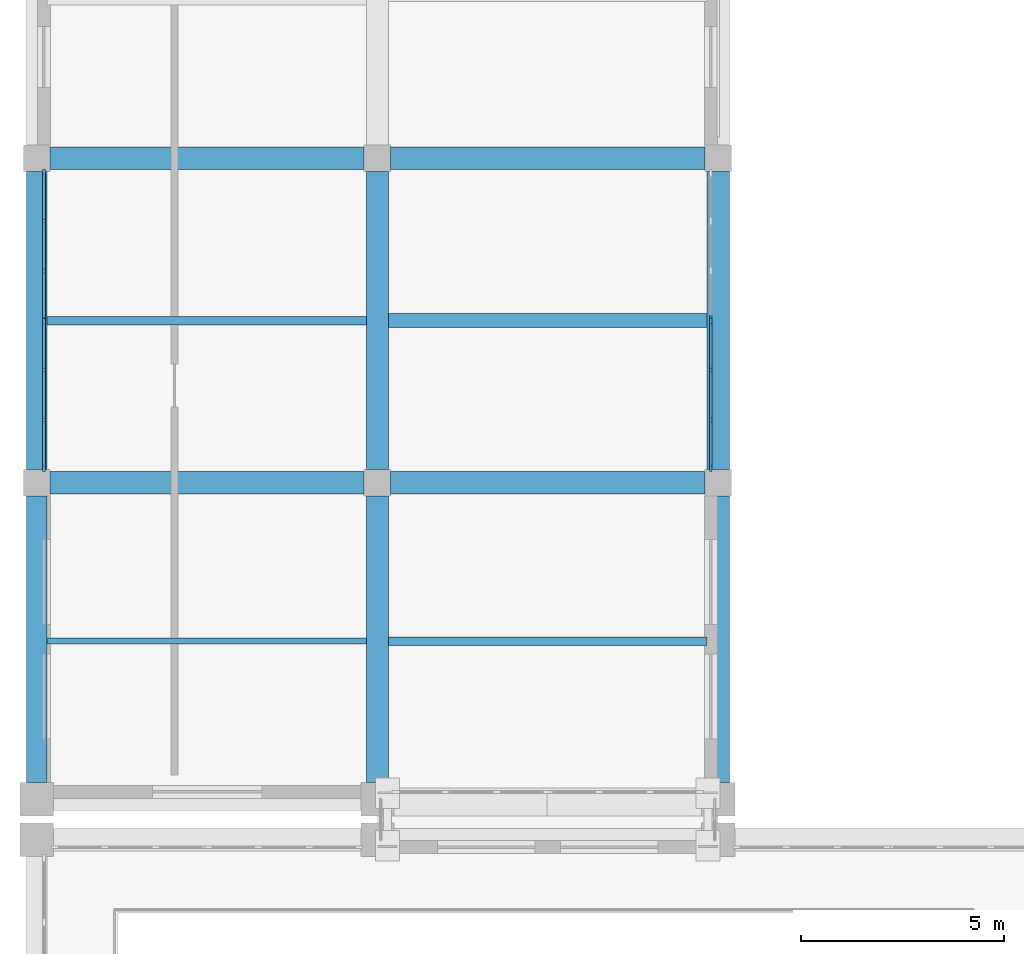
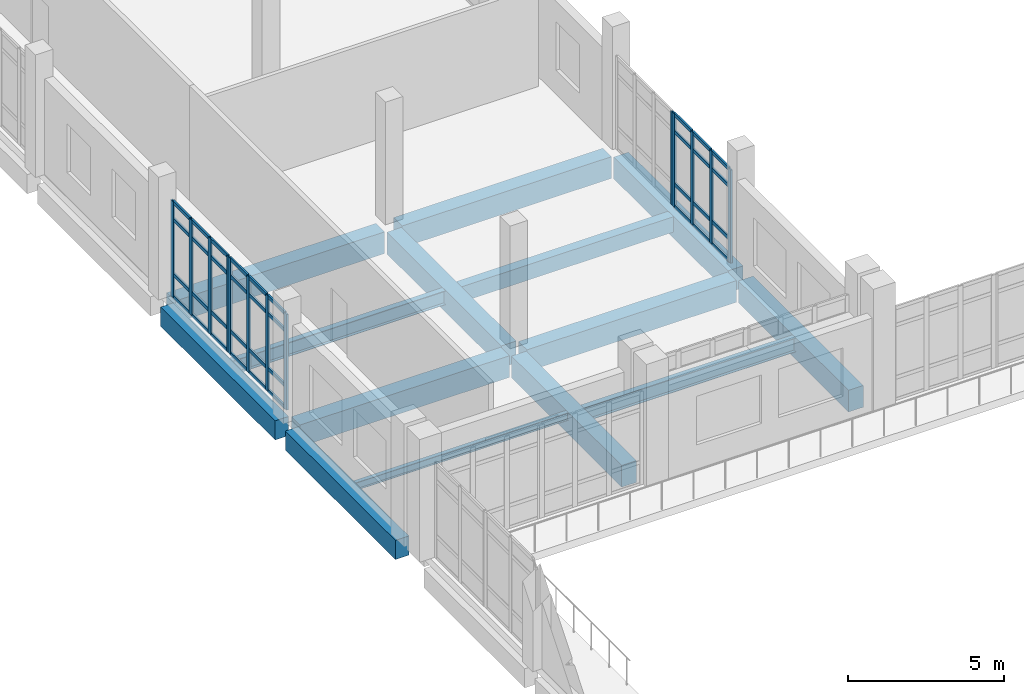
# One storey, part 9 of 90: 49 members, 14 beams, 4 elements without a shape of their own.
"""IFC4 building model written with IfcOpenShell, lengths in metres."""

from ifc_helpers import new_model, si_unit, direction, frame, origin, origin_2d, place, context, subcontext, project, spatial, rectangle, i_section, extrude, material, layer, layer_set, material_profile, profile_set, type_object, element, aggregate, save


model = new_model("IFC4")

# Units and contexts
model_context = context("Model", 3, precision=1e-05, world=origin(), true_north=direction((0.0, 1.0)))
body_context = subcontext(model_context, "Body", "Model", "MODEL_VIEW")
ifc_project = project(units=[si_unit("LENGTHUNIT", "METRE"), si_unit("AREAUNIT", "SQUARE_METRE"), si_unit("VOLUMEUNIT", "CUBIC_METRE"), si_unit("PLANEANGLEUNIT", "RADIAN"), si_unit("MASSUNIT", "GRAM", prefix="KILO")], contexts=[model_context])

# Site, building, storey
site_placement = place(None, origin())
site = spatial("IfcSite", under=ifc_project, at=site_placement, CompositionType="ELEMENT")
building_placement = place(site_placement, origin())
building = spatial("IfcBuilding", under=site, at=building_placement, Name="Kelarvand Opera House", CompositionType="ELEMENT")
storey_placement = place(building_placement, frame((0.0, 0.0, 5.39990234375)))
storey = spatial("IfcBuildingStorey", under=building, at=storey_placement, Name="L01", CompositionType="ELEMENT", Elevation=5.39990234375)

# Curtain wall, members
ifc_material_1 = material(Name="Thermally broken aluminium and low-E glazing", Category="aluminium")
ifc_layer_1 = layer(ifc_material_1, 0.179931640625, Name="Thermally broken aluminium and low-E glazing", Category="aluminium")
ifc_layer_set_1 = layer_set([ifc_layer_1], Name="Thermally broken aluminium and low-E glazing")
curtain_wall_type_1 = type_object("IfcCurtainWallType", Name="Unitised Low-E Curtain Wall 3661x3750 Mod 1350 CWF-28", PredefinedType="USERDEFINED", material=ifc_layer_set_1)
curtain_wall_1_placement = place(storey_placement, origin())
curtain_wall_1 = element("IfcCurtainWall", 1, at=curtain_wall_1_placement, inside=storey, type_object=curtain_wall_type_1, Name="V4 L01 Curtain Wall CWF-28 (139)", ObjectType="UNITISED CURTAIN WALL", PredefinedType="USERDEFINED")
ifc_material_2 = material(Name="Thermally broken anodised aluminium", Category="aluminium")
ifc_material_profile_1 = material_profile(ifc_material_2, rectangle(XDim=0.06494140625, YDim=0.179931640625, at=origin_2d()), Name="ALU MULLION 65x180", Category="aluminium")
ifc_profile_set_1 = profile_set([ifc_material_profile_1], Name="Thermally broken anodised aluminium")
member_type_1 = type_object("IfcMemberType", Name="Curtain Wall Mullion 65x180 Aluminium", PredefinedType="MULLION", material=ifc_profile_set_1)
member_1_placement = place(storey_placement, frame((9.179931640625, 46.967529296875, 0.0), z_axis=(0.0, 0.0, 1.0), x_axis=(-1.0, 0.0, 0.0)))
member_1 = element("IfcMember", 2, at=member_1_placement, type_object=member_type_1, Name="CWF-28 mullion 1", PredefinedType="MULLION", context=body_context, shape_type="SweptSolid", body=[
    extrude(rectangle(XDim=0.06494140625, YDim=0.179931640625, at=origin_2d()), origin(), (0.0, 0.0, 1.0), 3.75),
])
member_2_placement = place(storey_placement, frame((9.179931640625, 48.1552734375, 0.0), z_axis=(0.0, 0.0, 1.0), x_axis=(-1.0, 0.0, 0.0)))
member_2 = element("IfcMember", 3, at=member_2_placement, type_object=member_type_1, Name="CWF-28 mullion 2", PredefinedType="MULLION", context=body_context, shape_type="SweptSolid", body=[
    extrude(rectangle(XDim=0.06494140625, YDim=0.179931640625, at=origin_2d()), origin(), (0.0, 0.0, 1.0), 3.75),
])
member_3_placement = place(storey_placement, frame((9.179931640625, 49.375732421875, 0.0), z_axis=(0.0, 0.0, 1.0), x_axis=(-1.0, 0.0, 0.0)))
member_3 = element("IfcMember", 4, at=member_3_placement, type_object=member_type_1, Name="CWF-28 mullion 3", PredefinedType="MULLION", context=body_context, shape_type="SweptSolid", body=[
    extrude(rectangle(XDim=0.06494140625, YDim=0.179931640625, at=origin_2d()), origin(), (0.0, 0.0, 1.0), 3.75),
])
member_4_placement = place(storey_placement, frame((9.179931640625, 50.5634765625, 0.0), z_axis=(0.0, 0.0, 1.0), x_axis=(-1.0, 0.0, 0.0)))
member_4 = element("IfcMember", 5, at=member_4_placement, type_object=member_type_1, Name="CWF-28 mullion 4", PredefinedType="MULLION", context=body_context, shape_type="SweptSolid", body=[
    extrude(rectangle(XDim=0.06494140625, YDim=0.179931640625, at=origin_2d()), origin(), (0.0, 0.0, 1.0), 3.75),
])

curtain_wall_2_placement = place(storey_placement, origin())
curtain_wall_2 = element("IfcCurtainWall", 6, at=curtain_wall_2_placement, inside=storey, type_object=curtain_wall_type_1, Name="V4 L01 Curtain Wall CWF-28 (140)", ObjectType="UNITISED CURTAIN WALL", PredefinedType="USERDEFINED")
member_5_placement = place(storey_placement, frame((9.179931640625, 50.632568359375, 0.0), z_axis=(0.0, 0.0, 1.0), x_axis=(-1.0, 0.0, 0.0)))
member_5 = element("IfcMember", 7, at=member_5_placement, type_object=member_type_1, Name="CWF-28 mullion 1", PredefinedType="MULLION", context=body_context, shape_type="SweptSolid", body=[
    extrude(rectangle(XDim=0.06494140625, YDim=0.179931640625, at=origin_2d()), origin(), (0.0, 0.0, 1.0), 3.75),
])
member_6_placement = place(storey_placement, frame((9.179931640625, 51.82177734375, 0.0), z_axis=(0.0, 0.0, 1.0), x_axis=(-1.0, 0.0, 0.0)))
member_6 = element("IfcMember", 8, at=member_6_placement, type_object=member_type_1, Name="CWF-28 mullion 2", PredefinedType="MULLION", context=body_context, shape_type="SweptSolid", body=[
    extrude(rectangle(XDim=0.06494140625, YDim=0.179931640625, at=origin_2d()), origin(), (0.0, 0.0, 1.0), 3.75),
])
member_7_placement = place(storey_placement, frame((9.179931640625, 53.043212890625, 0.0), z_axis=(0.0, 0.0, 1.0), x_axis=(-1.0, 0.0, 0.0)))
member_7 = element("IfcMember", 9, at=member_7_placement, type_object=member_type_1, Name="CWF-28 mullion 3", PredefinedType="MULLION", context=body_context, shape_type="SweptSolid", body=[
    extrude(rectangle(XDim=0.06494140625, YDim=0.179931640625, at=origin_2d()), origin(), (0.0, 0.0, 1.0), 3.75),
])
member_8_placement = place(storey_placement, frame((9.179931640625, 54.232421875, 0.0), z_axis=(0.0, 0.0, 1.0), x_axis=(-1.0, 0.0, 0.0)))
member_8 = element("IfcMember", 10, at=member_8_placement, type_object=member_type_1, Name="CWF-28 mullion 4", PredefinedType="MULLION", context=body_context, shape_type="SweptSolid", body=[
    extrude(rectangle(XDim=0.06494140625, YDim=0.179931640625, at=origin_2d()), origin(), (0.0, 0.0, 1.0), 3.75),
])

# Curtain wall, member
ifc_layer_2 = layer(ifc_material_1, 0.179931640625, Name="Thermally broken aluminium and low-E glazing", Category="aluminium")
ifc_layer_set_2 = layer_set([ifc_layer_2], Name="Thermally broken aluminium and low-E glazing")
curtain_wall_type_2 = type_object("IfcCurtainWallType", Name="Unitised Low-E Curtain Wall 3661x3650 Mod 1350 CWF-32", PredefinedType="USERDEFINED", material=ifc_layer_set_2)
curtain_wall_3_placement = place(storey_placement, origin())
curtain_wall_3 = element("IfcCurtainWall", 11, at=curtain_wall_3_placement, inside=storey, type_object=curtain_wall_type_2, Name="V4 L01 Curtain Wall CWF-32 (147)", ObjectType="UNITISED CURTAIN WALL", PredefinedType="USERDEFINED")
member_9_placement = place(storey_placement, frame((25.6201171875, 50.636474609375, 0.0), z_axis=(0.0, 0.0, 1.0), x_axis=(1.0, 0.0, 0.0)))
member_9 = element("IfcMember", 12, at=member_9_placement, type_object=member_type_1, Name="CWF-32 mullion 4", PredefinedType="MULLION", context=body_context, shape_type="SweptSolid", body=[
    extrude(rectangle(XDim=0.06494140625, YDim=0.179931640625, at=origin_2d()), origin(), (0.0, 0.0, 1.0), 3.650146484375),
])
aggregate(curtain_wall_3, [member_9])

# Curtain wall, members
curtain_wall_4_placement = place(storey_placement, origin())
curtain_wall_4 = element("IfcCurtainWall", 13, at=curtain_wall_4_placement, inside=storey, type_object=curtain_wall_type_2, Name="V4 L01 Curtain Wall CWF-32 (148)", ObjectType="UNITISED CURTAIN WALL", PredefinedType="USERDEFINED")
member_10_placement = place(storey_placement, frame((25.6201171875, 50.5673828125, 0.0), z_axis=(0.0, 0.0, 1.0), x_axis=(1.0, 0.0, 0.0)))
member_10 = element("IfcMember", 14, at=member_10_placement, type_object=member_type_1, Name="CWF-32 mullion 1", PredefinedType="MULLION", context=body_context, shape_type="SweptSolid", body=[
    extrude(rectangle(XDim=0.06494140625, YDim=0.179931640625, at=origin_2d()), origin(), (0.0, 0.0, 1.0), 3.650146484375),
])
member_11_placement = place(storey_placement, frame((25.6201171875, 49.37841796875, 0.0), z_axis=(0.0, 0.0, 1.0), x_axis=(1.0, 0.0, 0.0)))
member_11 = element("IfcMember", 15, at=member_11_placement, type_object=member_type_1, Name="CWF-32 mullion 2", PredefinedType="MULLION", context=body_context, shape_type="SweptSolid", body=[
    extrude(rectangle(XDim=0.06494140625, YDim=0.179931640625, at=origin_2d()), origin(), (0.0, 0.0, 1.0), 3.650146484375),
])
member_12_placement = place(storey_placement, frame((25.6201171875, 48.15673828125, 0.0), z_axis=(0.0, 0.0, 1.0), x_axis=(1.0, 0.0, 0.0)))
member_12 = element("IfcMember", 16, at=member_12_placement, type_object=member_type_1, Name="CWF-32 mullion 3", PredefinedType="MULLION", context=body_context, shape_type="SweptSolid", body=[
    extrude(rectangle(XDim=0.06494140625, YDim=0.179931640625, at=origin_2d()), origin(), (0.0, 0.0, 1.0), 3.650146484375),
])
member_13_placement = place(storey_placement, frame((25.6201171875, 46.967529296875, 0.0), z_axis=(0.0, 0.0, 1.0), x_axis=(1.0, 0.0, 0.0)))
member_13 = element("IfcMember", 17, at=member_13_placement, type_object=member_type_1, Name="CWF-32 mullion 4", PredefinedType="MULLION", context=body_context, shape_type="SweptSolid", body=[
    extrude(rectangle(XDim=0.06494140625, YDim=0.179931640625, at=origin_2d()), origin(), (0.0, 0.0, 1.0), 3.650146484375),
])

# Member
ifc_material_profile_2 = material_profile(ifc_material_2, rectangle(XDim=0.06494140625, YDim=0.139892578125, at=origin_2d()), Name="ALU TRANSOM 65x140", Category="aluminium")
ifc_profile_set_2 = profile_set([ifc_material_profile_2], Name="Thermally broken anodised aluminium")
member_type_2 = type_object("IfcMemberType", Name="Curtain Wall Transom 65x140 Aluminium", PredefinedType="USERDEFINED", material=ifc_profile_set_2)
member_14_placement = place(storey_placement, frame((9.179931640625, 47.0, 0.03271484375), z_axis=(0.0, 1.0, 0.0), x_axis=(-1.0, 0.0, 0.0)))
member_14 = element("IfcMember", 18, at=member_14_placement, type_object=member_type_2, Name="CWF-28 transom 1.1", ObjectType="TRANSOM", PredefinedType="USERDEFINED", context=body_context, shape_type="SweptSolid", body=[
    extrude(rectangle(XDim=0.06494140625, YDim=0.139892578125, at=origin_2d()), origin(), (0.0, 0.0, 1.0), 1.122802734375),
])

member_15_placement = place(storey_placement, frame((9.179931640625, 47.0, 0.900146484375), z_axis=(0.0, 1.0, 0.0), x_axis=(-1.0, 0.0, 0.0)))
member_15 = element("IfcMember", 19, at=member_15_placement, type_object=member_type_2, Name="CWF-28 transom 1.2", ObjectType="TRANSOM", PredefinedType="USERDEFINED", context=body_context, shape_type="SweptSolid", body=[
    extrude(rectangle(XDim=0.06494140625, YDim=0.139892578125, at=origin_2d()), origin(), (0.0, 0.0, 1.0), 1.122802734375),
])

member_16_placement = place(storey_placement, frame((9.179931640625, 47.0, 3.050048828125), z_axis=(0.0, 1.0, 0.0), x_axis=(-1.0, 0.0, 0.0)))
member_16 = element("IfcMember", 20, at=member_16_placement, type_object=member_type_2, Name="CWF-28 transom 1.3", ObjectType="TRANSOM", PredefinedType="USERDEFINED", context=body_context, shape_type="SweptSolid", body=[
    extrude(rectangle(XDim=0.06494140625, YDim=0.139892578125, at=origin_2d()), origin(), (0.0, 0.0, 1.0), 1.122802734375),
])

member_17_placement = place(storey_placement, frame((9.179931640625, 47.0, 3.717529296875), z_axis=(0.0, 1.0, 0.0), x_axis=(-1.0, 0.0, 0.0)))
member_17 = element("IfcMember", 21, at=member_17_placement, type_object=member_type_2, Name="CWF-28 transom 1.4", ObjectType="TRANSOM", PredefinedType="USERDEFINED", context=body_context, shape_type="SweptSolid", body=[
    extrude(rectangle(XDim=0.06494140625, YDim=0.139892578125, at=origin_2d()), origin(), (0.0, 0.0, 1.0), 1.122802734375),
])

member_18_placement = place(storey_placement, frame((9.179931640625, 48.187744140625, 0.03271484375), z_axis=(0.0, 1.0, 0.0), x_axis=(-1.0, 0.0, 0.0)))
member_18 = element("IfcMember", 22, at=member_18_placement, type_object=member_type_2, Name="CWF-28 transom 2.1", ObjectType="TRANSOM", PredefinedType="USERDEFINED", context=body_context, shape_type="SweptSolid", body=[
    extrude(rectangle(XDim=0.06494140625, YDim=0.139892578125, at=origin_2d()), origin(), (0.0, 0.0, 1.0), 1.155517578125),
])

member_19_placement = place(storey_placement, frame((9.179931640625, 48.187744140625, 0.900146484375), z_axis=(0.0, 1.0, 0.0), x_axis=(-1.0, 0.0, 0.0)))
member_19 = element("IfcMember", 23, at=member_19_placement, type_object=member_type_2, Name="CWF-28 transom 2.2", ObjectType="TRANSOM", PredefinedType="USERDEFINED", context=body_context, shape_type="SweptSolid", body=[
    extrude(rectangle(XDim=0.06494140625, YDim=0.139892578125, at=origin_2d()), origin(), (0.0, 0.0, 1.0), 1.155517578125),
])

member_20_placement = place(storey_placement, frame((9.179931640625, 48.187744140625, 3.050048828125), z_axis=(0.0, 1.0, 0.0), x_axis=(-1.0, 0.0, 0.0)))
member_20 = element("IfcMember", 24, at=member_20_placement, type_object=member_type_2, Name="CWF-28 transom 2.3", ObjectType="TRANSOM", PredefinedType="USERDEFINED", context=body_context, shape_type="SweptSolid", body=[
    extrude(rectangle(XDim=0.06494140625, YDim=0.139892578125, at=origin_2d()), origin(), (0.0, 0.0, 1.0), 1.155517578125),
])

member_21_placement = place(storey_placement, frame((9.179931640625, 48.187744140625, 3.717529296875), z_axis=(0.0, 1.0, 0.0), x_axis=(-1.0, 0.0, 0.0)))
member_21 = element("IfcMember", 25, at=member_21_placement, type_object=member_type_2, Name="CWF-28 transom 2.4", ObjectType="TRANSOM", PredefinedType="USERDEFINED", context=body_context, shape_type="SweptSolid", body=[
    extrude(rectangle(XDim=0.06494140625, YDim=0.139892578125, at=origin_2d()), origin(), (0.0, 0.0, 1.0), 1.155517578125),
])

member_22_placement = place(storey_placement, frame((9.179931640625, 49.408203125, 0.03271484375), z_axis=(0.0, 1.0, 0.0), x_axis=(-1.0, 0.0, 0.0)))
member_22 = element("IfcMember", 26, at=member_22_placement, type_object=member_type_2, Name="CWF-28 transom 3.1", ObjectType="TRANSOM", PredefinedType="USERDEFINED", context=body_context, shape_type="SweptSolid", body=[
    extrude(rectangle(XDim=0.06494140625, YDim=0.139892578125, at=origin_2d()), origin(), (0.0, 0.0, 1.0), 1.122802734375),
])

member_23_placement = place(storey_placement, frame((9.179931640625, 49.408203125, 0.900146484375), z_axis=(0.0, 1.0, 0.0), x_axis=(-1.0, 0.0, 0.0)))
member_23 = element("IfcMember", 27, at=member_23_placement, type_object=member_type_2, Name="CWF-28 transom 3.2", ObjectType="TRANSOM", PredefinedType="USERDEFINED", context=body_context, shape_type="SweptSolid", body=[
    extrude(rectangle(XDim=0.06494140625, YDim=0.139892578125, at=origin_2d()), origin(), (0.0, 0.0, 1.0), 1.122802734375),
])

member_24_placement = place(storey_placement, frame((9.179931640625, 49.408203125, 3.050048828125), z_axis=(0.0, 1.0, 0.0), x_axis=(-1.0, 0.0, 0.0)))
member_24 = element("IfcMember", 28, at=member_24_placement, type_object=member_type_2, Name="CWF-28 transom 3.3", ObjectType="TRANSOM", PredefinedType="USERDEFINED", context=body_context, shape_type="SweptSolid", body=[
    extrude(rectangle(XDim=0.06494140625, YDim=0.139892578125, at=origin_2d()), origin(), (0.0, 0.0, 1.0), 1.122802734375),
])

member_25_placement = place(storey_placement, frame((9.179931640625, 49.408203125, 3.717529296875), z_axis=(0.0, 1.0, 0.0), x_axis=(-1.0, 0.0, 0.0)))
member_25 = element("IfcMember", 29, at=member_25_placement, type_object=member_type_2, Name="CWF-28 transom 3.4", ObjectType="TRANSOM", PredefinedType="USERDEFINED", context=body_context, shape_type="SweptSolid", body=[
    extrude(rectangle(XDim=0.06494140625, YDim=0.139892578125, at=origin_2d()), origin(), (0.0, 0.0, 1.0), 1.122802734375),
])

aggregate(curtain_wall_1, [member_1, member_2, member_3, member_4, member_14, member_15, member_16, member_17, member_18, member_19, member_20, member_21, member_22, member_23, member_24, member_25])

member_26_placement = place(storey_placement, frame((9.179931640625, 50.6650390625, 0.03271484375), z_axis=(0.0, 1.0, 0.0), x_axis=(-1.0, 0.0, 0.0)))
member_26 = element("IfcMember", 30, at=member_26_placement, type_object=member_type_2, Name="CWF-28 transom 1.1", ObjectType="TRANSOM", PredefinedType="USERDEFINED", context=body_context, shape_type="SweptSolid", body=[
    extrude(rectangle(XDim=0.06494140625, YDim=0.139892578125, at=origin_2d()), origin(), (0.0, 0.0, 1.0), 1.1240234375),
])

member_27_placement = place(storey_placement, frame((9.179931640625, 50.6650390625, 0.900146484375), z_axis=(0.0, 1.0, 0.0), x_axis=(-1.0, 0.0, 0.0)))
member_27 = element("IfcMember", 31, at=member_27_placement, type_object=member_type_2, Name="CWF-28 transom 1.2", ObjectType="TRANSOM", PredefinedType="USERDEFINED", context=body_context, shape_type="SweptSolid", body=[
    extrude(rectangle(XDim=0.06494140625, YDim=0.139892578125, at=origin_2d()), origin(), (0.0, 0.0, 1.0), 1.1240234375),
])

member_28_placement = place(storey_placement, frame((9.179931640625, 50.6650390625, 3.050048828125), z_axis=(0.0, 1.0, 0.0), x_axis=(-1.0, 0.0, 0.0)))
member_28 = element("IfcMember", 32, at=member_28_placement, type_object=member_type_2, Name="CWF-28 transom 1.3", ObjectType="TRANSOM", PredefinedType="USERDEFINED", context=body_context, shape_type="SweptSolid", body=[
    extrude(rectangle(XDim=0.06494140625, YDim=0.139892578125, at=origin_2d()), origin(), (0.0, 0.0, 1.0), 1.1240234375),
])

member_29_placement = place(storey_placement, frame((9.179931640625, 50.6650390625, 3.717529296875), z_axis=(0.0, 1.0, 0.0), x_axis=(-1.0, 0.0, 0.0)))
member_29 = element("IfcMember", 33, at=member_29_placement, type_object=member_type_2, Name="CWF-28 transom 1.4", ObjectType="TRANSOM", PredefinedType="USERDEFINED", context=body_context, shape_type="SweptSolid", body=[
    extrude(rectangle(XDim=0.06494140625, YDim=0.139892578125, at=origin_2d()), origin(), (0.0, 0.0, 1.0), 1.1240234375),
])

member_30_placement = place(storey_placement, frame((9.179931640625, 51.854248046875, 0.03271484375), z_axis=(0.0, 1.0, 0.0), x_axis=(-1.0, 0.0, 0.0)))
member_30 = element("IfcMember", 34, at=member_30_placement, type_object=member_type_2, Name="CWF-28 transom 2.1", ObjectType="TRANSOM", PredefinedType="USERDEFINED", context=body_context, shape_type="SweptSolid", body=[
    extrude(rectangle(XDim=0.06494140625, YDim=0.139892578125, at=origin_2d()), origin(), (0.0, 0.0, 1.0), 1.156494140625),
])

member_31_placement = place(storey_placement, frame((9.179931640625, 51.854248046875, 0.900146484375), z_axis=(0.0, 1.0, 0.0), x_axis=(-1.0, 0.0, 0.0)))
member_31 = element("IfcMember", 35, at=member_31_placement, type_object=member_type_2, Name="CWF-28 transom 2.2", ObjectType="TRANSOM", PredefinedType="USERDEFINED", context=body_context, shape_type="SweptSolid", body=[
    extrude(rectangle(XDim=0.06494140625, YDim=0.139892578125, at=origin_2d()), origin(), (0.0, 0.0, 1.0), 1.156494140625),
])

member_32_placement = place(storey_placement, frame((9.179931640625, 51.854248046875, 3.050048828125), z_axis=(0.0, 1.0, 0.0), x_axis=(-1.0, 0.0, 0.0)))
member_32 = element("IfcMember", 36, at=member_32_placement, type_object=member_type_2, Name="CWF-28 transom 2.3", ObjectType="TRANSOM", PredefinedType="USERDEFINED", context=body_context, shape_type="SweptSolid", body=[
    extrude(rectangle(XDim=0.06494140625, YDim=0.139892578125, at=origin_2d()), origin(), (0.0, 0.0, 1.0), 1.156494140625),
])

member_33_placement = place(storey_placement, frame((9.179931640625, 51.854248046875, 3.717529296875), z_axis=(0.0, 1.0, 0.0), x_axis=(-1.0, 0.0, 0.0)))
member_33 = element("IfcMember", 37, at=member_33_placement, type_object=member_type_2, Name="CWF-28 transom 2.4", ObjectType="TRANSOM", PredefinedType="USERDEFINED", context=body_context, shape_type="SweptSolid", body=[
    extrude(rectangle(XDim=0.06494140625, YDim=0.139892578125, at=origin_2d()), origin(), (0.0, 0.0, 1.0), 1.156494140625),
])

member_34_placement = place(storey_placement, frame((9.179931640625, 53.075927734375, 0.03271484375), z_axis=(0.0, 1.0, 0.0), x_axis=(-1.0, 0.0, 0.0)))
member_34 = element("IfcMember", 38, at=member_34_placement, type_object=member_type_2, Name="CWF-28 transom 3.1", ObjectType="TRANSOM", PredefinedType="USERDEFINED", context=body_context, shape_type="SweptSolid", body=[
    extrude(rectangle(XDim=0.06494140625, YDim=0.139892578125, at=origin_2d()), origin(), (0.0, 0.0, 1.0), 1.1240234375),
])

member_35_placement = place(storey_placement, frame((9.179931640625, 53.075927734375, 0.900146484375), z_axis=(0.0, 1.0, 0.0), x_axis=(-1.0, 0.0, 0.0)))
member_35 = element("IfcMember", 39, at=member_35_placement, type_object=member_type_2, Name="CWF-28 transom 3.2", ObjectType="TRANSOM", PredefinedType="USERDEFINED", context=body_context, shape_type="SweptSolid", body=[
    extrude(rectangle(XDim=0.06494140625, YDim=0.139892578125, at=origin_2d()), origin(), (0.0, 0.0, 1.0), 1.1240234375),
])

member_36_placement = place(storey_placement, frame((9.179931640625, 53.075927734375, 3.050048828125), z_axis=(0.0, 1.0, 0.0), x_axis=(-1.0, 0.0, 0.0)))
member_36 = element("IfcMember", 40, at=member_36_placement, type_object=member_type_2, Name="CWF-28 transom 3.3", ObjectType="TRANSOM", PredefinedType="USERDEFINED", context=body_context, shape_type="SweptSolid", body=[
    extrude(rectangle(XDim=0.06494140625, YDim=0.139892578125, at=origin_2d()), origin(), (0.0, 0.0, 1.0), 1.1240234375),
])

member_37_placement = place(storey_placement, frame((9.179931640625, 53.075927734375, 3.717529296875), z_axis=(0.0, 1.0, 0.0), x_axis=(-1.0, 0.0, 0.0)))
member_37 = element("IfcMember", 41, at=member_37_placement, type_object=member_type_2, Name="CWF-28 transom 3.4", ObjectType="TRANSOM", PredefinedType="USERDEFINED", context=body_context, shape_type="SweptSolid", body=[
    extrude(rectangle(XDim=0.06494140625, YDim=0.139892578125, at=origin_2d()), origin(), (0.0, 0.0, 1.0), 1.1240234375),
])

aggregate(curtain_wall_2, [member_5, member_6, member_7, member_8, member_26, member_27, member_28, member_29, member_30, member_31, member_32, member_33, member_34, member_35, member_36, member_37])

member_38_placement = place(storey_placement, frame((25.6201171875, 50.534912109375, 0.03271484375), z_axis=(0.0, -1.0, 0.0), x_axis=(1.0, 0.0, 0.0)))
member_38 = element("IfcMember", 42, at=member_38_placement, type_object=member_type_2, Name="CWF-32 transom 1.1", ObjectType="TRANSOM", PredefinedType="USERDEFINED", context=body_context, shape_type="SweptSolid", body=[
    extrude(rectangle(XDim=0.06494140625, YDim=0.139892578125, at=origin_2d()), origin(), (0.0, 0.0, 1.0), 1.1240234375),
])

member_39_placement = place(storey_placement, frame((25.6201171875, 50.534912109375, 0.900146484375), z_axis=(0.0, -1.0, 0.0), x_axis=(1.0, 0.0, 0.0)))
member_39 = element("IfcMember", 43, at=member_39_placement, type_object=member_type_2, Name="CWF-32 transom 1.2", ObjectType="TRANSOM", PredefinedType="USERDEFINED", context=body_context, shape_type="SweptSolid", body=[
    extrude(rectangle(XDim=0.06494140625, YDim=0.139892578125, at=origin_2d()), origin(), (0.0, 0.0, 1.0), 1.1240234375),
])

member_40_placement = place(storey_placement, frame((25.6201171875, 50.534912109375, 2.9501953125), z_axis=(0.0, -1.0, 0.0), x_axis=(1.0, 0.0, 0.0)))
member_40 = element("IfcMember", 44, at=member_40_placement, type_object=member_type_2, Name="CWF-32 transom 1.3", ObjectType="TRANSOM", PredefinedType="USERDEFINED", context=body_context, shape_type="SweptSolid", body=[
    extrude(rectangle(XDim=0.06494140625, YDim=0.139892578125, at=origin_2d()), origin(), (0.0, 0.0, 1.0), 1.1240234375),
])

member_41_placement = place(storey_placement, frame((25.6201171875, 50.534912109375, 3.61767578125), z_axis=(0.0, -1.0, 0.0), x_axis=(1.0, 0.0, 0.0)))
member_41 = element("IfcMember", 45, at=member_41_placement, type_object=member_type_2, Name="CWF-32 transom 1.4", ObjectType="TRANSOM", PredefinedType="USERDEFINED", context=body_context, shape_type="SweptSolid", body=[
    extrude(rectangle(XDim=0.06494140625, YDim=0.139892578125, at=origin_2d()), origin(), (0.0, 0.0, 1.0), 1.1240234375),
])

member_42_placement = place(storey_placement, frame((25.6201171875, 49.345947265625, 0.03271484375), z_axis=(0.0, -1.0, 0.0), x_axis=(1.0, 0.0, 0.0)))
member_42 = element("IfcMember", 46, at=member_42_placement, type_object=member_type_2, Name="CWF-32 transom 2.1", ObjectType="TRANSOM", PredefinedType="USERDEFINED", context=body_context, shape_type="SweptSolid", body=[
    extrude(rectangle(XDim=0.06494140625, YDim=0.139892578125, at=origin_2d()), origin(), (0.0, 0.0, 1.0), 1.15673828125),
])

member_43_placement = place(storey_placement, frame((25.6201171875, 49.345947265625, 0.900146484375), z_axis=(0.0, -1.0, 0.0), x_axis=(1.0, 0.0, 0.0)))
member_43 = element("IfcMember", 47, at=member_43_placement, type_object=member_type_2, Name="CWF-32 transom 2.2", ObjectType="TRANSOM", PredefinedType="USERDEFINED", context=body_context, shape_type="SweptSolid", body=[
    extrude(rectangle(XDim=0.06494140625, YDim=0.139892578125, at=origin_2d()), origin(), (0.0, 0.0, 1.0), 1.15673828125),
])

member_44_placement = place(storey_placement, frame((25.6201171875, 49.345947265625, 2.9501953125), z_axis=(0.0, -1.0, 0.0), x_axis=(1.0, 0.0, 0.0)))
member_44 = element("IfcMember", 48, at=member_44_placement, type_object=member_type_2, Name="CWF-32 transom 2.3", ObjectType="TRANSOM", PredefinedType="USERDEFINED", context=body_context, shape_type="SweptSolid", body=[
    extrude(rectangle(XDim=0.06494140625, YDim=0.139892578125, at=origin_2d()), origin(), (0.0, 0.0, 1.0), 1.15673828125),
])

member_45_placement = place(storey_placement, frame((25.6201171875, 49.345947265625, 3.61767578125), z_axis=(0.0, -1.0, 0.0), x_axis=(1.0, 0.0, 0.0)))
member_45 = element("IfcMember", 49, at=member_45_placement, type_object=member_type_2, Name="CWF-32 transom 2.4", ObjectType="TRANSOM", PredefinedType="USERDEFINED", context=body_context, shape_type="SweptSolid", body=[
    extrude(rectangle(XDim=0.06494140625, YDim=0.139892578125, at=origin_2d()), origin(), (0.0, 0.0, 1.0), 1.15673828125),
])

member_46_placement = place(storey_placement, frame((25.6201171875, 48.124267578125, 0.03271484375), z_axis=(0.0, -1.0, 0.0), x_axis=(1.0, 0.0, 0.0)))
member_46 = element("IfcMember", 50, at=member_46_placement, type_object=member_type_2, Name="CWF-32 transom 3.1", ObjectType="TRANSOM", PredefinedType="USERDEFINED", context=body_context, shape_type="SweptSolid", body=[
    extrude(rectangle(XDim=0.06494140625, YDim=0.139892578125, at=origin_2d()), origin(), (0.0, 0.0, 1.0), 1.124267578125),
])

member_47_placement = place(storey_placement, frame((25.6201171875, 48.124267578125, 0.900146484375), z_axis=(0.0, -1.0, 0.0), x_axis=(1.0, 0.0, 0.0)))
member_47 = element("IfcMember", 51, at=member_47_placement, type_object=member_type_2, Name="CWF-32 transom 3.2", ObjectType="TRANSOM", PredefinedType="USERDEFINED", context=body_context, shape_type="SweptSolid", body=[
    extrude(rectangle(XDim=0.06494140625, YDim=0.139892578125, at=origin_2d()), origin(), (0.0, 0.0, 1.0), 1.124267578125),
])

member_48_placement = place(storey_placement, frame((25.6201171875, 48.124267578125, 2.9501953125), z_axis=(0.0, -1.0, 0.0), x_axis=(1.0, 0.0, 0.0)))
member_48 = element("IfcMember", 52, at=member_48_placement, type_object=member_type_2, Name="CWF-32 transom 3.3", ObjectType="TRANSOM", PredefinedType="USERDEFINED", context=body_context, shape_type="SweptSolid", body=[
    extrude(rectangle(XDim=0.06494140625, YDim=0.139892578125, at=origin_2d()), origin(), (0.0, 0.0, 1.0), 1.124267578125),
])

member_49_placement = place(storey_placement, frame((25.6201171875, 48.124267578125, 3.61767578125), z_axis=(0.0, -1.0, 0.0), x_axis=(1.0, 0.0, 0.0)))
member_49 = element("IfcMember", 53, at=member_49_placement, type_object=member_type_2, Name="CWF-32 transom 3.4", ObjectType="TRANSOM", PredefinedType="USERDEFINED", context=body_context, shape_type="SweptSolid", body=[
    extrude(rectangle(XDim=0.06494140625, YDim=0.139892578125, at=origin_2d()), origin(), (0.0, 0.0, 1.0), 1.124267578125),
])

aggregate(curtain_wall_4, [member_10, member_11, member_12, member_13, member_38, member_39, member_40, member_41, member_42, member_43, member_44, member_45, member_46, member_47, member_48, member_49])

# Beams
ifc_material_3 = material(Name="Concrete C35/45", Category="concrete")
ifc_material_profile_3 = material_profile(ifc_material_3, rectangle(XDim=0.35009765625, YDim=0.60009765625, at=origin_2d()), Name="RC 350x600", Category="concrete")
ifc_profile_set_3 = profile_set([ifc_material_profile_3], Name="Concrete C35/45")
beam_type_1 = type_object("IfcBeamType", Name="Structural Beam RC 350x600 BM-RC350x600", PredefinedType="BEAM", material=ifc_profile_set_3)
beam_1_placement = place(storey_placement, frame((17.675048828125, 50.60009765625, -0.599853515625), z_axis=(1.0, 0.0, 0.0), x_axis=(0.0, 1.0, 0.0)))
element("IfcBeam", 54, at=beam_1_placement, inside=storey, type_object=beam_type_1, Name="V4 L01 Beam BM-RC350x600", PredefinedType="BEAM", context=body_context, shape_type="SweptSolid", body=[
    extrude(rectangle(XDim=0.35009765625, YDim=0.60009765625, at=origin_2d()), origin(), (0.0, 0.0, 1.0), 7.849853515625),
])
ifc_material_4 = material(Name="Concrete C40/50", Category="concrete")
ifc_material_profile_4 = material_profile(ifc_material_4, rectangle(XDim=0.550048828125, YDim=0.85009765625, at=origin_2d()), Name="RC 550x850", Category="concrete")
ifc_profile_set_4 = profile_set([ifc_material_profile_4], Name="Concrete C40/50")
beam_type_2 = type_object("IfcBeamType", Name="Structural Beam RC 550x850 BM-RC550x850", PredefinedType="BEAM", material=ifc_profile_set_4)
for number, where, z_axis, x_axis, name in (
    (55, (9.324951171875, 46.60009765625, -0.724853515625), (1.0, 0.0, 0.0), (0.0, 1.0, 0.0), "V4 L01 Beam BM-RC550x850"),
    (56, (17.72509765625, 46.60009765625, -0.724853515625), (1.0, 0.0, 0.0), (0.0, 1.0, 0.0), "V4 L01 Beam BM-RC550x850"),
    (57, (9.324951171875, 54.60009765625, -0.724853515625), (1.0, 0.0, 0.0), (0.0, 1.0, 0.0), "V4 L01 Beam BM-RC550x850"),
    (58, (17.72509765625, 54.60009765625, -0.724853515625), (1.0, 0.0, 0.0), (0.0, 1.0, 0.0), "V4 L01 Beam BM-RC550x850"),
):
    element("IfcBeam", number, at=place(storey_placement, frame(where, z_axis=z_axis, x_axis=x_axis)), inside=storey, type_object=beam_type_2, Name=name, PredefinedType="BEAM", context=body_context, shape_type="SweptSolid", body=[
        extrude(rectangle(XDim=0.550048828125, YDim=0.85009765625, at=origin_2d()), origin(), (0.0, 0.0, 1.0), 7.75),
    ])
beam_2_placement = place(storey_placement, frame((17.39990234375, 39.2099609375, -0.724853515625), z_axis=(0.0, 1.0, 0.0), x_axis=(-1.0, 0.0, 0.0)))
element("IfcBeam", 59, at=beam_2_placement, inside=storey, type_object=beam_type_2, Name="V4 L01 Beam BM-RC550x850", PredefinedType="BEAM", context=body_context, shape_type="SweptSolid", body=[
    extrude(rectangle(XDim=0.550048828125, YDim=0.85009765625, at=origin_2d()), origin(), (0.0, 0.0, 1.0), 7.06494140625),
])
beam_3_placement = place(storey_placement, frame((17.39990234375, 46.925048828125, -0.724853515625), z_axis=(0.0, 1.0, 0.0), x_axis=(-1.0, 0.0, 0.0)))
element("IfcBeam", 60, at=beam_3_placement, inside=storey, type_object=beam_type_2, Name="V4 L01 Beam BM-RC550x850", PredefinedType="BEAM", context=body_context, shape_type="SweptSolid", body=[
    extrude(rectangle(XDim=0.550048828125, YDim=0.85009765625, at=origin_2d()), origin(), (0.0, 0.0, 1.0), 7.349853515625),
])
beam_4_placement = place(storey_placement, frame((25.800048828125, 39.2099609375, -0.724853515625), z_axis=(0.0, 1.0, 0.0), x_axis=(-1.0, 0.0, 0.0)))
element("IfcBeam", 61, at=beam_4_placement, inside=storey, type_object=beam_type_2, Name="V4 L01 Beam BM-RC550x850", PredefinedType="BEAM", context=body_context, shape_type="SweptSolid", body=[
    extrude(rectangle(XDim=0.550048828125, YDim=0.85009765625, at=origin_2d()), origin(), (0.0, 0.0, 1.0), 7.06494140625),
])
beam_5_placement = place(storey_placement, frame((25.800048828125, 46.925048828125, -0.724853515625), z_axis=(0.0, 1.0, 0.0), x_axis=(-1.0, 0.0, 0.0)))
element("IfcBeam", 62, at=beam_5_placement, inside=storey, type_object=beam_type_2, Name="V4 L01 Beam BM-RC550x850", PredefinedType="BEAM", context=body_context, shape_type="SweptSolid", body=[
    extrude(rectangle(XDim=0.550048828125, YDim=0.85009765625, at=origin_2d()), origin(), (0.0, 0.0, 1.0), 7.349853515625),
])
ifc_material_5 = material(Name="Steel S355", Category="steel")
ifc_material_profile_5 = material_profile(ifc_material_5, i_section(OverallWidth=0.14990234375, OverallDepth=0.300048828125, WebThickness=0.007080078125, FlangeThickness=0.0107421875, at=origin_2d()), Name="IPE 300", Category="steel")
ifc_profile_set_5 = profile_set([ifc_material_profile_5], Name="Steel S355")
beam_type_3 = type_object("IfcBeamType", Name="Structural Joist IPE 300 JS-IPE300", PredefinedType="JOIST", material=ifc_profile_set_5)
beam_6_placement = place(storey_placement, frame((9.25, 42.699951171875, -0.449951171875), z_axis=(1.0, 0.0, 0.0), x_axis=(0.0, 1.0, 0.0)))
element("IfcBeam", 63, at=beam_6_placement, inside=storey, type_object=beam_type_3, Name="V4 L01 Beam JS-IPE300", PredefinedType="JOIST", context=body_context, shape_type="SweptSolid", body=[
    extrude(i_section(OverallWidth=0.14990234375, OverallDepth=0.300048828125, WebThickness=0.007080078125, FlangeThickness=0.0107421875, at=origin_2d()), origin(), (0.0, 0.0, 1.0), 7.875),
])
ifc_material_profile_6 = material_profile(ifc_material_5, i_section(OverallWidth=0.2099609375, OverallDepth=0.550048828125, WebThickness=0.010986328125, FlangeThickness=0.01708984375, at=origin_2d()), Name="IPE 550", Category="steel")
ifc_profile_set_6 = profile_set([ifc_material_profile_6], Name="Steel S355")
beam_type_4 = type_object("IfcBeamType", Name="Structural Joist IPE 550 JS-IPE550", PredefinedType="JOIST", material=ifc_profile_set_6)
beam_7_placement = place(storey_placement, frame((9.25, 50.60009765625, -0.574951171875), z_axis=(1.0, 0.0, 0.0), x_axis=(0.0, 1.0, 0.0)))
element("IfcBeam", 64, at=beam_7_placement, inside=storey, type_object=beam_type_4, Name="V4 L01 Beam JS-IPE550", PredefinedType="JOIST", context=body_context, shape_type="SweptSolid", body=[
    extrude(i_section(OverallWidth=0.2099609375, OverallDepth=0.550048828125, WebThickness=0.010986328125, FlangeThickness=0.01708984375, at=origin_2d()), origin(), (0.0, 0.0, 1.0), 7.875),
])
beam_8_placement = place(storey_placement, frame((17.675048828125, 42.699951171875, -0.574951171875), z_axis=(1.0, 0.0, 0.0), x_axis=(0.0, 1.0, 0.0)))
element("IfcBeam", 65, at=beam_8_placement, inside=storey, type_object=beam_type_4, Name="V4 L01 Beam JS-IPE550", PredefinedType="JOIST", context=body_context, shape_type="SweptSolid", body=[
    extrude(i_section(OverallWidth=0.2099609375, OverallDepth=0.550048828125, WebThickness=0.010986328125, FlangeThickness=0.01708984375, at=origin_2d()), origin(), (0.0, 0.0, 1.0), 7.849853515625),
])
ifc_material_profile_7 = material_profile(ifc_material_4, rectangle(XDim=0.5, YDim=0.75, at=origin_2d()), Name="RC 500x750", Category="concrete")
ifc_profile_set_7 = profile_set([ifc_material_profile_7], Name="Concrete C40/50")
beam_type_5 = type_object("IfcBeamType", Name="Structural Spandrel RC 500x750 SP-RC500x750E", PredefinedType="SPANDREL", material=ifc_profile_set_7)
beam_9_placement = place(storey_placement, frame((9.0, 39.2099609375, -0.6748046875), z_axis=(0.0, 1.0, 0.0), x_axis=(-1.0, 0.0, 0.0)))
element("IfcBeam", 66, at=beam_9_placement, inside=storey, type_object=beam_type_5, Name="V4 L01 Beam SP-RC500x750E", PredefinedType="SPANDREL", context=body_context, shape_type="SweptSolid", body=[
    extrude(rectangle(XDim=0.5, YDim=0.75, at=origin_2d()), origin(), (0.0, 0.0, 1.0), 7.06494140625),
])
beam_10_placement = place(storey_placement, frame((9.0, 46.925048828125, -0.6748046875), z_axis=(0.0, 1.0, 0.0), x_axis=(-1.0, 0.0, 0.0)))
element("IfcBeam", 67, at=beam_10_placement, inside=storey, type_object=beam_type_5, Name="V4 L01 Beam SP-RC500x750E", PredefinedType="SPANDREL", context=body_context, shape_type="SweptSolid", body=[
    extrude(rectangle(XDim=0.5, YDim=0.75, at=origin_2d()), origin(), (0.0, 0.0, 1.0), 7.349853515625),
])

save(model, "model.ifc")
